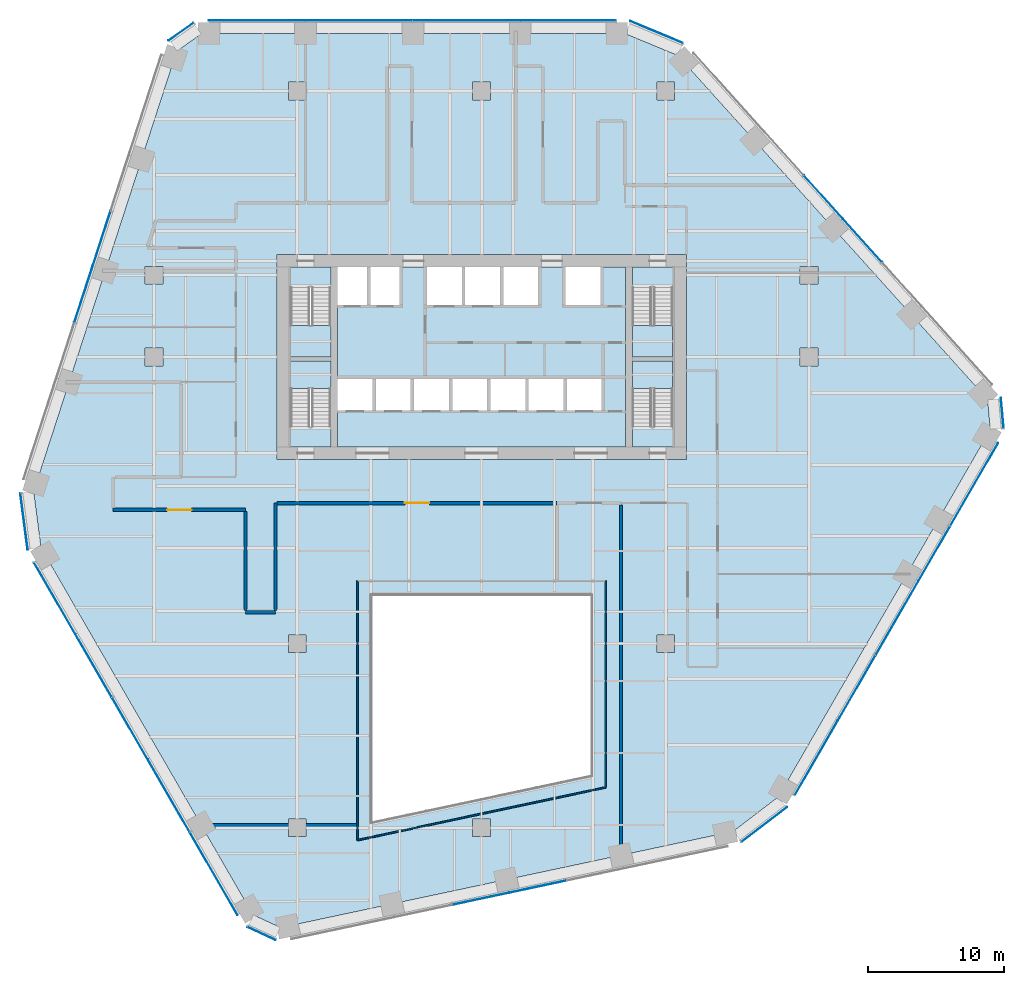
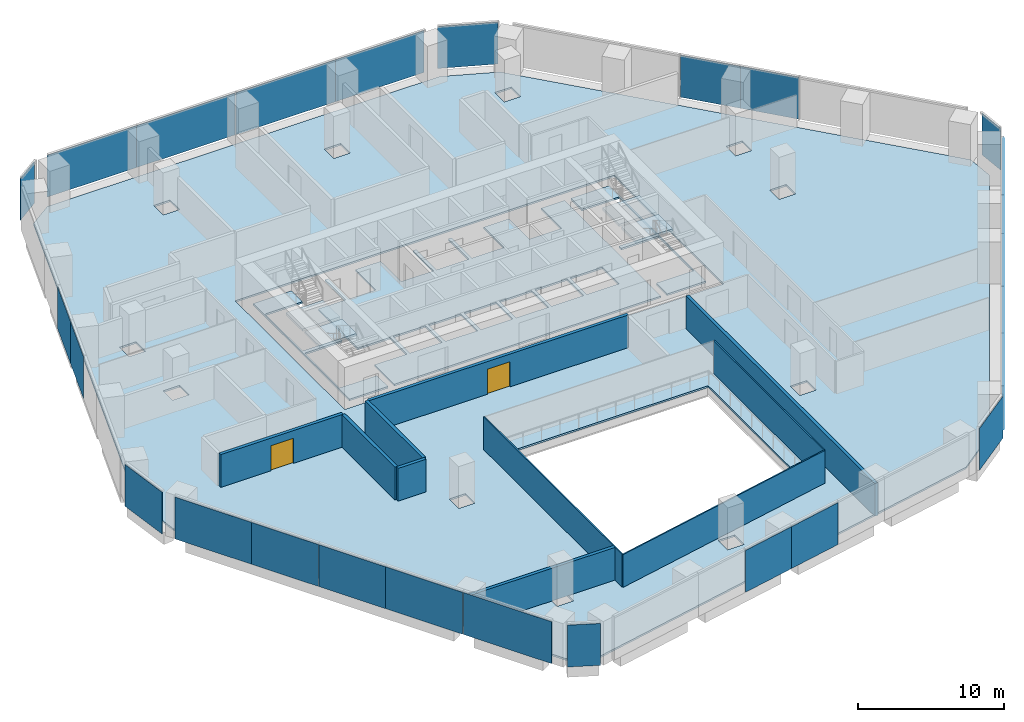
# One storey, part 13 of 21: 26 plates, 10 walls, 8 slabs, 2 doors, 2 openings, 16 elements without a shape of their own.
"""IFC4 building model written with IfcOpenShell, lengths in metres."""

from ifc_helpers import new_model, si_unit, direction, frame, frame_2d, origin, origin_2d, place, context, subcontext, project, spatial, polyline, rectangle, outline, extrude, material, layer, layer_set, type_object, element, fill, aggregate, save


model = new_model("IFC4")

# Units and contexts
model_context = context("Model", 3, precision=1e-05, world=origin(), true_north=direction((0.0, 1.0)))
body_context = subcontext(model_context, "Body", "Model", "MODEL_VIEW")
ifc_project = project(units=[si_unit("LENGTHUNIT", "METRE"), si_unit("AREAUNIT", "SQUARE_METRE"), si_unit("VOLUMEUNIT", "CUBIC_METRE"), si_unit("PLANEANGLEUNIT", "RADIAN"), si_unit("MASSUNIT", "GRAM", prefix="KILO")], contexts=[model_context])

# Site, building, storey
site_placement = place(None, origin())
site = spatial("IfcSite", under=ifc_project, at=site_placement, CompositionType="ELEMENT")
building_placement = place(site_placement, origin())
building = spatial("IfcBuilding", under=site, at=building_placement, Name="Isthmus Gate Tower", CompositionType="ELEMENT")
storey_placement = place(building_placement, frame((0.0, 0.0, 106.199951171875)))
storey = spatial("IfcBuildingStorey", under=building, at=storey_placement, Name="L25", CompositionType="ELEMENT", Elevation=106.199951171875)

# Slabs
ifc_material_1 = material(Name="Concrete f'c 40 MPa", Category="concrete")
ifc_layer_1 = layer(ifc_material_1, 0.14990234375)
ifc_layer_set_1 = layer_set([ifc_layer_1], Name="COMPOSITE FLOOR SLAB 150")
slab_type_1 = type_object("IfcSlabType", Name="COMPOSITE FLOOR SLAB 150", PredefinedType="FLOOR", material=ifc_layer_set_1)
slab_1_placement = place(storey_placement, frame((0.0, 0.0, -0.14990234375)))
element("IfcSlab", 1, at=slab_1_placement, inside=storey, type_object=slab_type_1, Name="str-slab-L25-1", PredefinedType="FLOOR", context=body_context, shape_type="SweptSolid", body=[
    extrude(outline(polyline([(14.391357421875, 29.599365234375), (37.081787109375, 4.399169921875), (37.281494140625, 2.17333984375), (21.748779296875, -24.729736328125), (18.438232421875, -27.262939453125), (-14.73095703125, -34.313232421875), (-16.758544921875, -33.373291015625), (-32.291015625, -6.47021484375), (-32.82958984375, -2.33642578125), (-22.3505859375, 29.9140625), (-20.52294921875, 31.199951171875), (10.542236328125, 31.199951171875), (14.391357421875, 29.599365234375)]), holes=[polyline([(-14.14990234375, -27.64990234375), (-12.85009765625, -27.64990234375), (-12.85009765625, -26.35009765625), (-14.14990234375, -26.35009765625), (-14.14990234375, -27.64990234375)]), polyline([(-0.64990234375, -26.35009765625), (-0.64990234375, -27.64990234375), (0.64990234375, -27.64990234375), (0.64990234375, -26.35009765625), (-0.64990234375, -26.35009765625)]), polyline([(-14.14990234375, -12.85009765625), (-14.14990234375, -14.14990234375), (-12.85009765625, -14.14990234375), (-12.85009765625, -12.85009765625), (-14.14990234375, -12.85009765625)]), polyline([(-24.64990234375, 8.14990234375), (-24.64990234375, 6.85009765625), (-23.35009765625, 6.85009765625), (-23.35009765625, 8.14990234375), (-24.64990234375, 8.14990234375)]), polyline([(-23.35009765625, 14.14990234375), (-24.64990234375, 14.14990234375), (-24.64990234375, 12.85009765625), (-23.35009765625, 12.85009765625), (-23.35009765625, 14.14990234375)]), polyline([(-14.14990234375, 27.64990234375), (-14.14990234375, 26.35009765625), (-12.85009765625, 26.35009765625), (-12.85009765625, 27.64990234375), (-14.14990234375, 27.64990234375)]), polyline([(-0.64990234375, 27.64990234375), (-0.64990234375, 26.35009765625), (0.64990234375, 26.35009765625), (0.64990234375, 27.64990234375), (-0.64990234375, 27.64990234375)]), polyline([(8.0, -23.143310546875), (8.0, -10.0), (-8.0, -10.0), (-8.0, -26.544189453125), (8.0, -23.143310546875)]), polyline([(14.14990234375, -12.85009765625), (12.85009765625, -12.85009765625), (12.85009765625, -14.14990234375), (14.14990234375, -14.14990234375), (14.14990234375, -12.85009765625)]), polyline([(15.0, 15.0), (-15.0, 15.0), (-15.0, 0.0), (15.0, 0.0), (15.0, 15.0)]), polyline([(24.64990234375, 8.14990234375), (23.35009765625, 8.14990234375), (23.35009765625, 6.85009765625), (24.64990234375, 6.85009765625), (24.64990234375, 8.14990234375)]), polyline([(23.35009765625, 14.14990234375), (23.35009765625, 12.85009765625), (24.64990234375, 12.85009765625), (24.64990234375, 14.14990234375), (23.35009765625, 14.14990234375)]), polyline([(14.14990234375, 27.64990234375), (12.85009765625, 27.64990234375), (12.85009765625, 26.35009765625), (14.14990234375, 26.35009765625), (14.14990234375, 27.64990234375)])]), origin(), (0.0, 0.0, 1.0), 0.14990234375),
])
ifc_material_2 = material(Name="Concrete f'c 40 MPa", Category="concrete")
ifc_layer_2 = layer(ifc_material_2, 0.14990234375)
ifc_layer_set_2 = layer_set([ifc_layer_2], Name="CORE FLOOR SLAB 150")
slab_type_2 = type_object("IfcSlabType", Name="CORE FLOOR SLAB 150", PredefinedType="FLOOR", material=ifc_layer_set_2)
slab_2_placement = place(storey_placement, frame((0.0, 0.0, -0.14990234375)))
element("IfcSlab", 2, at=slab_2_placement, inside=storey, type_object=slab_type_2, Name="L25 core floor", PredefinedType="FLOOR", context=body_context, shape_type="SweptSolid", body=[
    extrude(outline(polyline([(-11.050048828125, 0.89990234375), (-11.050048828125, 2.402099609375), (-14.0, 2.402099609375), (-14.0, 7.199951171875), (-11.050048828125, 7.199951171875), (-11.050048828125, 7.5), (-14.0, 7.5), (-14.0, 12.597900390625), (-11.050048828125, 12.597900390625), (-11.050048828125, 14.10009765625), (-14.10009765625, 14.10009765625), (-14.10009765625, 0.89990234375), (-11.050048828125, 0.89990234375)])), origin(), (0.0, 0.0, 1.0), 0.14990234375),
])
slab_3_placement = place(storey_placement, frame((0.0, 0.0, -0.14990234375)))
element("IfcSlab", 3, at=slab_3_placement, inside=storey, type_object=slab_type_2, Name="L25 core floor", PredefinedType="FLOOR", context=body_context, shape_type="SweptSolid", body=[
    extrude(outline(polyline([(10.550048828125, 14.10009765625), (8.699951171875, 14.10009765625), (8.699951171875, 11.300048828125), (6.14990234375, 11.300048828125), (6.14990234375, 14.10009765625), (4.14990234375, 14.10009765625), (4.14990234375, 11.300048828125), (1.60009765625, 11.300048828125), (1.60009765625, 14.10009765625), (1.35009765625, 14.10009765625), (1.35009765625, 11.300048828125), (-1.199951171875, 11.300048828125), (-1.199951171875, 14.10009765625), (-1.449951171875, 14.10009765625), (-1.449951171875, 11.300048828125), (-4.0, 11.300048828125), (-4.0, 14.10009765625), (-6.0, 14.10009765625), (-6.0, 11.300048828125), (-8.14990234375, 11.300048828125), (-8.14990234375, 14.10009765625), (-8.39990234375, 14.10009765625), (-8.39990234375, 11.300048828125), (-10.550048828125, 11.300048828125), (-10.550048828125, 5.89990234375), (-8.0, 5.89990234375), (-8.0, 3.60009765625), (-10.550048828125, 3.60009765625), (-10.550048828125, 0.89990234375), (10.550048828125, 0.89990234375), (10.550048828125, 14.10009765625)]), holes=[polyline([(-5.199951171875, 5.89990234375), (-5.199951171875, 3.60009765625), (-7.75, 3.60009765625), (-7.75, 5.89990234375), (-5.199951171875, 5.89990234375)]), polyline([(-2.39990234375, 5.89990234375), (-2.39990234375, 3.60009765625), (-4.949951171875, 3.60009765625), (-4.949951171875, 5.89990234375), (-2.39990234375, 5.89990234375)]), polyline([(0.39990234375, 5.89990234375), (0.39990234375, 3.60009765625), (-2.14990234375, 3.60009765625), (-2.14990234375, 5.89990234375), (0.39990234375, 5.89990234375)]), polyline([(3.199951171875, 5.89990234375), (3.199951171875, 3.60009765625), (0.64990234375, 3.60009765625), (0.64990234375, 5.89990234375), (3.199951171875, 5.89990234375)]), polyline([(6.0, 5.89990234375), (6.0, 3.60009765625), (3.449951171875, 3.60009765625), (3.449951171875, 5.89990234375), (6.0, 5.89990234375)]), polyline([(8.800048828125, 5.89990234375), (8.800048828125, 3.60009765625), (6.25, 3.60009765625), (6.25, 5.89990234375), (8.800048828125, 5.89990234375)])]), origin(), (0.0, 0.0, 1.0), 0.14990234375),
])
slab_4_placement = place(storey_placement, frame((0.0, 0.0, -0.14990234375)))
element("IfcSlab", 4, at=slab_4_placement, inside=storey, type_object=slab_type_2, Name="L25 core floor", PredefinedType="FLOOR", context=body_context, shape_type="SweptSolid", body=[
    extrude(outline(polyline([(11.050048828125, 14.10009765625), (11.050048828125, 12.597900390625), (14.0, 12.597900390625), (14.0, 7.5), (11.050048828125, 7.5), (11.050048828125, 7.199951171875), (14.0, 7.199951171875), (14.0, 2.402099609375), (11.050048828125, 2.402099609375), (11.050048828125, 0.89990234375), (14.10009765625, 0.89990234375), (14.10009765625, 14.10009765625), (11.050048828125, 14.10009765625)])), origin(), (0.0, 0.0, 1.0), 0.14990234375),
])

# Curtain wall, plates
ifc_material_3 = material(Name="Aluminium, pale champagne anodised", Category="aluminium")
ifc_layer_3 = layer(ifc_material_3, 0.199951171875)
ifc_layer_set_3 = layer_set([ifc_layer_3], Name="CW-1 UNITISED CURTAIN WALL 200 DEEP")
curtain_wall_type = type_object("IfcCurtainWallType", Name="CW-1 UNITISED CURTAIN WALL 200 DEEP", PredefinedType="NOTDEFINED", material=ifc_layer_set_3)
curtain_wall_1_placement = place(storey_placement, origin())
curtain_wall_1 = element("IfcCurtainWall", 5, at=curtain_wall_1_placement, inside=storey, type_object=curtain_wall_type, Name="CW-1 N L25", PredefinedType="NOTDEFINED")
ifc_material_4 = material(Name="Laminated low-iron glass, pale blue tint", Category="glass")
ifc_layer_4 = layer(ifc_material_4, 0.0400390625)
ifc_layer_set_4 = layer_set([ifc_layer_4], Name="CW-1 CLEAR GLASS LITE 40")
plate_type = type_object("IfcPlateType", Name="CW-1 CLEAR GLASS LITE 40", PredefinedType="CURTAIN_PANEL", material=ifc_layer_set_4)
plate_1_placement = place(storey_placement, frame((6.337158203125, 32.179931640625, 0.0), z_axis=(0.0, 0.0, 1.0), x_axis=(-1.0, 0.0, 0.0)))
plate_1 = element("IfcPlate", 6, at=plate_1_placement, type_object=plate_type, Name="CW-1 glass lite", PredefinedType="CURTAIN_PANEL", context=body_context, shape_type="SweptSolid", body=[
    extrude(rectangle(XDim=7.009521484375, YDim=0.0400390625, at=origin_2d()), origin(), (0.0, 0.0, 1.0), 3.5),
])
plate_2_placement = place(storey_placement, frame((-1.1025390625, 32.179931640625, 0.0), z_axis=(0.0, 0.0, 1.0), x_axis=(-1.0, 0.0, 0.0)))
plate_2 = element("IfcPlate", 7, at=plate_2_placement, type_object=plate_type, Name="CW-1 glass lite", PredefinedType="CURTAIN_PANEL", context=body_context, shape_type="SweptSolid", body=[
    extrude(rectangle(XDim=7.86962890625, YDim=0.0400390625, at=origin_2d()), origin(), (0.0, 0.0, 1.0), 3.5),
])
plate_3_placement = place(storey_placement, frame((-9.001953125, 32.179931640625, 0.0), z_axis=(0.0, 0.0, 1.0), x_axis=(-1.0, 0.0, 0.0)))
plate_3 = element("IfcPlate", 8, at=plate_3_placement, type_object=plate_type, Name="CW-1 glass lite", PredefinedType="CURTAIN_PANEL", context=body_context, shape_type="SweptSolid", body=[
    extrude(rectangle(XDim=7.8095703125, YDim=0.0400390625, at=origin_2d()), origin(), (0.0, 0.0, 1.0), 3.5),
])
plate_4_placement = place(storey_placement, frame((-16.44140625, 32.179931640625, 0.0), z_axis=(0.0, 0.0, 1.0), x_axis=(-1.0, 0.0, 0.0)))
plate_4 = element("IfcPlate", 9, at=plate_4_placement, type_object=plate_type, Name="CW-1 glass lite", PredefinedType="CURTAIN_PANEL", context=body_context, shape_type="SweptSolid", body=[
    extrude(rectangle(XDim=7.069580078125, YDim=0.0400390625, at=origin_2d()), origin(), (0.0, 0.0, 1.0), 3.5),
])
aggregate(curtain_wall_1, [plate_1, plate_2, plate_3, plate_4])

# Curtain wall, plate
curtain_wall_2_placement = place(storey_placement, origin())
curtain_wall_2 = element("IfcCurtainWall", 10, at=curtain_wall_2_placement, inside=storey, type_object=curtain_wall_type, Name="CW-1 N-NW L25", PredefinedType="NOTDEFINED")
plate_5_placement = place(storey_placement, frame((-22.025146484375, 31.341552734375, 0.0), z_axis=(0.0, 0.0, 1.0), x_axis=(-0.81785959165, -0.57541783805, 0.0)))
plate_5 = element("IfcPlate", 11, at=plate_5_placement, type_object=plate_type, Name="CW-1 glass lite", PredefinedType="CURTAIN_PANEL", context=body_context, shape_type="SweptSolid", body=[
    extrude(rectangle(XDim=2.258544921875, YDim=0.0400390625, at=origin_2d()), origin(), (0.0, 0.0, 1.0), 3.5),
])
aggregate(curtain_wall_2, [plate_5])

# Curtain wall, plates
curtain_wall_3_placement = place(storey_placement, origin())
curtain_wall_3 = element("IfcCurtainWall", 12, at=curtain_wall_3_placement, inside=storey, type_object=curtain_wall_type, Name="CW-1 NW L25", PredefinedType="NOTDEFINED")
plate_6_placement = place(storey_placement, frame((-27.8544921875, 16.146484375, 0.0), z_axis=(0.0, 0.0, 1.0), x_axis=(-0.309016994375, -0.951056516295, 0.0)))
plate_6 = element("IfcPlate", 13, at=plate_6_placement, type_object=plate_type, Name="CW-1 glass lite", PredefinedType="CURTAIN_PANEL", context=body_context, shape_type="SweptSolid", body=[
    extrude(rectangle(XDim=4.234619140625, YDim=0.0400390625, at=origin_2d()), origin(), (0.0, 0.0, 1.0), 3.5),
])
plate_7_placement = place(storey_placement, frame((-29.17236328125, 12.09033203125, 0.0), z_axis=(0.0, 0.0, 1.0), x_axis=(-0.309016994375, -0.951056516295, 0.0)))
plate_7 = element("IfcPlate", 14, at=plate_7_placement, type_object=plate_type, Name="CW-1 glass lite", PredefinedType="CURTAIN_PANEL", context=body_context, shape_type="SweptSolid", body=[
    extrude(rectangle(XDim=4.294677734375, YDim=0.0400390625, at=origin_2d()), origin(), (0.0, 0.0, 1.0), 3.5),
])
aggregate(curtain_wall_3, [plate_6, plate_7])

# Curtain wall, plate
curtain_wall_4_placement = place(storey_placement, origin())
curtain_wall_4 = element("IfcCurtainWall", 15, at=curtain_wall_4_placement, inside=storey, type_object=curtain_wall_type, Name="CW-1 NW-SW L25", PredefinedType="NOTDEFINED")
plate_8_placement = place(storey_placement, frame((-33.5283203125, -4.558349609375, 0.0), z_axis=(0.0, 0.0, 1.0), x_axis=(0.129164534, -0.991623175988, 0.0)))
plate_8 = element("IfcPlate", 16, at=plate_8_placement, type_object=plate_type, Name="CW-1 glass lite", PredefinedType="CURTAIN_PANEL", context=body_context, shape_type="SweptSolid", body=[
    extrude(rectangle(XDim=4.181396484375, YDim=0.0400390625, at=origin_2d()), origin(), (0.0, 0.0, 1.0), 3.5),
])
aggregate(curtain_wall_4, [plate_8])

# Curtain wall, plates
curtain_wall_5_placement = place(storey_placement, origin())
curtain_wall_5 = element("IfcCurtainWall", 17, at=curtain_wall_5_placement, inside=storey, type_object=curtain_wall_type, Name="CW-1 SW L25", PredefinedType="NOTDEFINED")
plate_9_placement = place(storey_placement, frame((-31.277587890625, -10.185791015625, 0.0), z_axis=(0.0, 0.0, 1.0), x_axis=(0.5, -0.866025403784, 0.0)))
plate_9 = element("IfcPlate", 18, at=plate_9_placement, type_object=plate_type, Name="CW-1 glass lite", PredefinedType="CURTAIN_PANEL", context=body_context, shape_type="SweptSolid", body=[
    extrude(rectangle(XDim=6.048583984375, YDim=0.0400390625, at=origin_2d()), origin(), (0.0, 0.0, 1.0), 3.5),
])
plate_10_placement = place(storey_placement, frame((-28.438232421875, -15.103759765625, 0.0), z_axis=(0.0, 0.0, 1.0), x_axis=(0.5, -0.866025403784, 0.0)))
plate_10 = element("IfcPlate", 19, at=plate_10_placement, type_object=plate_type, Name="CW-1 glass lite", PredefinedType="CURTAIN_PANEL", context=body_context, shape_type="SweptSolid", body=[
    extrude(rectangle(XDim=5.30859375, YDim=0.0400390625, at=origin_2d()), origin(), (0.0, 0.0, 1.0), 3.5),
])
plate_11_placement = place(storey_placement, frame((-25.768798828125, -19.72705078125, 0.0), z_axis=(0.0, 0.0, 1.0), x_axis=(0.5, -0.866025403784, 0.0)))
plate_11 = element("IfcPlate", 20, at=plate_11_placement, type_object=plate_type, Name="CW-1 glass lite", PredefinedType="CURTAIN_PANEL", context=body_context, shape_type="SweptSolid", body=[
    extrude(rectangle(XDim=5.24853515625, YDim=0.0400390625, at=origin_2d()), origin(), (0.0, 0.0, 1.0), 3.5),
])
plate_12_placement = place(storey_placement, frame((-22.929443359375, -24.644775390625, 0.0), z_axis=(0.0, 0.0, 1.0), x_axis=(0.5, -0.866025403784, 0.0)))
plate_12 = element("IfcPlate", 21, at=plate_12_placement, type_object=plate_type, Name="CW-1 glass lite", PredefinedType="CURTAIN_PANEL", context=body_context, shape_type="SweptSolid", body=[
    extrude(rectangle(XDim=6.108642578125, YDim=0.0400390625, at=origin_2d()), origin(), (0.0, 0.0, 1.0), 3.5),
])
plate_13_placement = place(storey_placement, frame((-19.62646484375, -30.365966796875, 0.0), z_axis=(0.0, 0.0, 1.0), x_axis=(0.5, -0.866025403784, 0.0)))
plate_13 = element("IfcPlate", 22, at=plate_13_placement, type_object=plate_type, Name="CW-1 glass lite", PredefinedType="CURTAIN_PANEL", context=body_context, shape_type="SweptSolid", body=[
    extrude(rectangle(XDim=6.983642578125, YDim=0.0400390625, at=origin_2d()), origin(), (0.0, 0.0, 1.0), 3.5),
])
aggregate(curtain_wall_5, [plate_9, plate_10, plate_11, plate_12, plate_13])

# Curtain wall, plate
curtain_wall_6_placement = place(storey_placement, origin())
curtain_wall_6 = element("IfcCurtainWall", 23, at=curtain_wall_6_placement, inside=storey, type_object=curtain_wall_type, Name="CW-1 SW-S L25", PredefinedType="NOTDEFINED")
plate_14_placement = place(storey_placement, frame((-16.1298828125, -34.7451171875, 0.0), z_axis=(0.0, 0.0, 1.0), x_axis=(0.907256261367, -0.420578264073, 0.0)))
plate_14 = element("IfcPlate", 24, at=plate_14_placement, type_object=plate_type, Name="CW-1 glass lite", PredefinedType="CURTAIN_PANEL", context=body_context, shape_type="SweptSolid", body=[
    extrude(rectangle(XDim=2.258544921875, YDim=0.0400390625, at=origin_2d()), origin(), (0.0, 0.0, 1.0), 3.5),
])
aggregate(curtain_wall_6, [plate_14])

# Curtain wall, plates
curtain_wall_7_placement = place(storey_placement, origin())
curtain_wall_7 = element("IfcCurtainWall", 25, at=curtain_wall_7_placement, inside=storey, type_object=curtain_wall_type, Name="CW-1 S L25", PredefinedType="NOTDEFINED")
plate_15_placement = place(storey_placement, frame((-0.055908203125, -32.19580078125, 0.0), z_axis=(0.0, 0.0, 1.0), x_axis=(0.978147600734, 0.207911690818, 0.0)))
plate_15 = element("IfcPlate", 26, at=plate_15_placement, type_object=plate_type, Name="CW-1 glass lite", PredefinedType="CURTAIN_PANEL", context=body_context, shape_type="SweptSolid", body=[
    extrude(rectangle(XDim=4.234619140625, YDim=0.0400390625, at=origin_2d()), origin(), (0.0, 0.0, 1.0), 3.5),
])
plate_16_placement = place(storey_placement, frame((4.115478515625, -31.309326171875, 0.0), z_axis=(0.0, 0.0, 1.0), x_axis=(0.978147600734, 0.207911690818, 0.0)))
plate_16 = element("IfcPlate", 27, at=plate_16_placement, type_object=plate_type, Name="CW-1 glass lite", PredefinedType="CURTAIN_PANEL", context=body_context, shape_type="SweptSolid", body=[
    extrude(rectangle(XDim=4.294677734375, YDim=0.0400390625, at=origin_2d()), origin(), (0.0, 0.0, 1.0), 3.5),
])
aggregate(curtain_wall_7, [plate_15, plate_16])

# Curtain wall, plate
curtain_wall_8_placement = place(storey_placement, origin())
curtain_wall_8 = element("IfcCurtainWall", 28, at=curtain_wall_8_placement, inside=storey, type_object=curtain_wall_type, Name="CW-1 S-SE L25", PredefinedType="NOTDEFINED")
plate_17_placement = place(storey_placement, frame((20.711669921875, -26.75732421875, 0.0), z_axis=(0.0, 0.0, 1.0), x_axis=(0.794188594387, 0.607671355706, 0.0)))
plate_17 = element("IfcPlate", 29, at=plate_17_placement, type_object=plate_type, Name="CW-1 glass lite", PredefinedType="CURTAIN_PANEL", context=body_context, shape_type="SweptSolid", body=[
    extrude(rectangle(XDim=4.181396484375, YDim=0.0400390625, at=origin_2d()), origin(), (0.0, 0.0, 1.0), 3.5),
])
aggregate(curtain_wall_8, [plate_17])

# Curtain wall, plates
curtain_wall_9_placement = place(storey_placement, origin())
curtain_wall_9 = element("IfcCurtainWall", 30, at=curtain_wall_9_placement, inside=storey, type_object=curtain_wall_type, Name="CW-1 SE L25", PredefinedType="NOTDEFINED")
plate_18_placement = place(storey_placement, frame((24.517333984375, -21.89453125, 0.0), z_axis=(0.0, 0.0, 1.0), x_axis=(0.5, 0.866025403784, 0.0)))
plate_18 = element("IfcPlate", 31, at=plate_18_placement, type_object=plate_type, Name="CW-1 glass lite", PredefinedType="CURTAIN_PANEL", context=body_context, shape_type="SweptSolid", body=[
    extrude(rectangle(XDim=6.278564453125, YDim=0.0400390625, at=origin_2d()), origin(), (0.0, 0.0, 1.0), 3.5),
])
plate_19_placement = place(storey_placement, frame((27.4716796875, -16.777587890625, 0.0), z_axis=(0.0, 0.0, 1.0), x_axis=(0.5, 0.866025403784, 0.0)))
plate_19 = element("IfcPlate", 32, at=plate_19_placement, type_object=plate_type, Name="CW-1 glass lite", PredefinedType="CURTAIN_PANEL", context=body_context, shape_type="SweptSolid", body=[
    extrude(rectangle(XDim=5.53857421875, YDim=0.0400390625, at=origin_2d()), origin(), (0.0, 0.0, 1.0), 3.5),
])
plate_20_placement = place(storey_placement, frame((30.4560546875, -11.608642578125, 0.0), z_axis=(0.0, 0.0, 1.0), x_axis=(0.5, 0.866025403784, 0.0)))
plate_20 = element("IfcPlate", 33, at=plate_20_placement, type_object=plate_type, Name="CW-1 glass lite", PredefinedType="CURTAIN_PANEL", context=body_context, shape_type="SweptSolid", body=[
    extrude(rectangle(XDim=6.278564453125, YDim=0.0400390625, at=origin_2d()), origin(), (0.0, 0.0, 1.0), 3.5),
])
plate_21_placement = place(storey_placement, frame((33.173828125, -6.901123046875, 0.0), z_axis=(0.0, 0.0, 1.0), x_axis=(0.5, 0.866025403784, 0.0)))
plate_21 = element("IfcPlate", 34, at=plate_21_placement, type_object=plate_type, Name="CW-1 glass lite", PredefinedType="CURTAIN_PANEL", context=body_context, shape_type="SweptSolid", body=[
    extrude(rectangle(XDim=4.5927734375, YDim=0.0400390625, at=origin_2d()), origin(), (0.0, 0.0, 1.0), 3.5),
])
plate_22_placement = place(storey_placement, frame((36.1044921875, -1.8251953125, 0.0), z_axis=(0.0, 0.0, 1.0), x_axis=(0.5, 0.866025403784, 0.0)))
plate_22 = element("IfcPlate", 35, at=plate_22_placement, type_object=plate_type, Name="CW-1 glass lite", PredefinedType="CURTAIN_PANEL", context=body_context, shape_type="SweptSolid", body=[
    extrude(rectangle(XDim=7.009521484375, YDim=0.0400390625, at=origin_2d()), origin(), (0.0, 0.0, 1.0), 3.5),
])
aggregate(curtain_wall_9, [plate_18, plate_19, plate_20, plate_21, plate_22])

# Curtain wall, plate
curtain_wall_10_placement = place(storey_placement, origin())
curtain_wall_10 = element("IfcCurtainWall", 36, at=curtain_wall_10_placement, inside=storey, type_object=curtain_wall_type, Name="CW-1 SE-NE L25", PredefinedType="NOTDEFINED")
plate_23_placement = place(storey_placement, frame((38.155029296875, 3.403564453125, 0.0), z_axis=(0.0, 0.0, 1.0), x_axis=(-0.089396669717, 0.995996102123, 0.0)))
plate_23 = element("IfcPlate", 37, at=plate_23_placement, type_object=plate_type, Name="CW-1 glass lite", PredefinedType="CURTAIN_PANEL", context=body_context, shape_type="SweptSolid", body=[
    extrude(rectangle(XDim=2.258544921875, YDim=0.0400390625, at=origin_2d()), origin(), (0.0, 0.0, 1.0), 3.5),
])
aggregate(curtain_wall_10, [plate_23])

# Curtain wall, plates
curtain_wall_11_placement = place(storey_placement, origin())
curtain_wall_11 = element("IfcCurtainWall", 38, at=curtain_wall_11_placement, inside=storey, type_object=curtain_wall_type, Name="CW-1 NE L25", PredefinedType="NOTDEFINED")
plate_24_placement = place(storey_placement, frame((27.910400390625, 16.049560546875, 0.0), z_axis=(0.0, 0.0, 1.0), x_axis=(-0.669130606359, 0.743144825477, 0.0)))
plate_24 = element("IfcPlate", 39, at=plate_24_placement, type_object=plate_type, Name="CW-1 glass lite", PredefinedType="CURTAIN_PANEL", context=body_context, shape_type="SweptSolid", body=[
    extrude(rectangle(XDim=4.234619140625, YDim=0.0400390625, at=origin_2d()), origin(), (0.0, 0.0, 1.0), 3.5),
])
plate_25_placement = place(storey_placement, frame((25.056884765625, 19.21875, 0.0), z_axis=(0.0, 0.0, 1.0), x_axis=(-0.669130606359, 0.743144825477, 0.0)))
plate_25 = element("IfcPlate", 40, at=plate_25_placement, type_object=plate_type, Name="CW-1 glass lite", PredefinedType="CURTAIN_PANEL", context=body_context, shape_type="SweptSolid", body=[
    extrude(rectangle(XDim=4.294677734375, YDim=0.0400390625, at=origin_2d()), origin(), (0.0, 0.0, 1.0), 3.5),
])
aggregate(curtain_wall_11, [plate_24, plate_25])

# Curtain wall, plate
curtain_wall_12_placement = place(storey_placement, origin())
curtain_wall_12 = element("IfcCurtainWall", 41, at=curtain_wall_12_placement, inside=storey, type_object=curtain_wall_type, Name="CW-1 NE-N L25", PredefinedType="NOTDEFINED")
plate_26_placement = place(storey_placement, frame((12.816650390625, 31.315673828125, 0.0), z_axis=(0.0, 0.0, 1.0), x_axis=(-0.923353128387, 0.383951820282, 0.0)))
plate_26 = element("IfcPlate", 42, at=plate_26_placement, type_object=plate_type, Name="CW-1 glass lite", PredefinedType="CURTAIN_PANEL", context=body_context, shape_type="SweptSolid", body=[
    extrude(rectangle(XDim=4.181396484375, YDim=0.0400390625, at=origin_2d()), origin(), (0.0, 0.0, 1.0), 3.5),
])
aggregate(curtain_wall_12, [plate_26])

# Stair, slab
ifc_material_5 = material(Name="Concrete f'c 40 MPa", Category="concrete")
stair_type = type_object("IfcStairType", Name="CORE STAIR 22 RISERS", PredefinedType="HALF_TURN_STAIR", material=ifc_material_5)
stair_1_placement = place(storey_placement, origin())
stair_1 = element("IfcStair", 43, at=stair_1_placement, inside=storey, type_object=stair_type, Name="L25 Exit Stair 1", PredefinedType="HALF_TURN_STAIR")
ifc_material_6 = material(Name="Concrete f'c 40 MPa", Category="concrete")
ifc_layer_5 = layer(ifc_material_6, 0.199951171875)
ifc_layer_set_5 = layer_set([ifc_layer_5])
slab_type_3 = type_object("IfcSlabType", Name="STAIR LANDING RC 200", PredefinedType="LANDING", material=ifc_layer_set_5)
slab_5_placement = place(storey_placement, frame((0.0, 0.0, 1.625)))
slab_5 = element("IfcSlab", 44, at=slab_5_placement, type_object=slab_type_3, Name="ST1 landing 1", PredefinedType="LANDING", context=body_context, shape_type="SweptSolid", body=[
    extrude(outline(polyline([(-14.0, 9.800048828125), (-14.0, 7.5), (-11.050048828125, 7.5), (-11.050048828125, 9.800048828125), (-14.0, 9.800048828125)])), origin(), (0.0, 0.0, 1.0), 0.199951171875),
])
aggregate(stair_1, [slab_5])

stair_2_placement = place(storey_placement, origin())
stair_2 = element("IfcStair", 45, at=stair_2_placement, inside=storey, type_object=stair_type, Name="L25 Exit Stair 2", PredefinedType="HALF_TURN_STAIR")
slab_6_placement = place(storey_placement, frame((0.0, 0.0, 1.625)))
slab_6 = element("IfcSlab", 46, at=slab_6_placement, type_object=slab_type_3, Name="ST2 landing 1", PredefinedType="LANDING", context=body_context, shape_type="SweptSolid", body=[
    extrude(outline(polyline([(11.050048828125, 9.800048828125), (11.050048828125, 7.5), (14.0, 7.5), (14.0, 9.800048828125), (11.050048828125, 9.800048828125)])), origin(), (0.0, 0.0, 1.0), 0.199951171875),
])
aggregate(stair_2, [slab_6])

stair_3_placement = place(storey_placement, origin())
stair_3 = element("IfcStair", 47, at=stair_3_placement, inside=storey, type_object=stair_type, Name="L25 Exit Stair 7", PredefinedType="HALF_TURN_STAIR")
slab_7_placement = place(storey_placement, frame((0.0, 0.0, 1.625)))
slab_7 = element("IfcSlab", 48, at=slab_7_placement, type_object=slab_type_3, Name="ST7 landing 1", PredefinedType="LANDING", context=body_context, shape_type="SweptSolid", body=[
    extrude(outline(polyline([(-11.050048828125, 5.199951171875), (-11.050048828125, 7.199951171875), (-14.0, 7.199951171875), (-14.0, 5.199951171875), (-11.050048828125, 5.199951171875)])), origin(), (0.0, 0.0, 1.0), 0.199951171875),
])
aggregate(stair_3, [slab_7])

stair_4_placement = place(storey_placement, origin())
stair_4 = element("IfcStair", 49, at=stair_4_placement, inside=storey, type_object=stair_type, Name="L25 Exit Stair 8", PredefinedType="HALF_TURN_STAIR")
slab_8_placement = place(storey_placement, frame((0.0, 0.0, 1.625)))
slab_8 = element("IfcSlab", 50, at=slab_8_placement, type_object=slab_type_3, Name="ST8 landing 1", PredefinedType="LANDING", context=body_context, shape_type="SweptSolid", body=[
    extrude(outline(polyline([(14.0, 5.199951171875), (14.0, 7.199951171875), (11.050048828125, 7.199951171875), (11.050048828125, 5.199951171875), (14.0, 5.199951171875)])), origin(), (0.0, 0.0, 1.0), 0.199951171875),
])
aggregate(stair_4, [slab_8])

# Wall, opening, door
ifc_material_7 = material(Name="Double-leaf acoustic stud wall, fire-rated", Category="gypsum")
ifc_layer_6 = layer(ifc_material_7, 0.25)
ifc_layer_set_6 = layer_set([ifc_layer_6], Name="ACOUSTIC WALL 250 60 MIN")
wall_type_1 = type_object("IfcWallType", Name="ACOUSTIC WALL 250 60 MIN", PredefinedType="PARTITIONING", material=ifc_layer_set_6)
wall_1_placement = place(storey_placement, frame((5.5390625, -3.199951171875, 0.0), z_axis=(0.0, 0.0, 1.0), x_axis=(-1.0, 0.0, 0.0)))
wall_1 = element("IfcWall", 51, at=wall_1_placement, inside=storey, type_object=wall_type_1, Name="L25 Acoustic Wall 250 60 Min", PredefinedType="PARTITIONING", context=body_context, shape_type="SweptSolid", body=[
    extrude(rectangle(XDim=20.51416015625, YDim=0.25, at=frame_2d((10.257080078125, 0.0))), origin(), (0.0, 0.0, 1.0), 2.7412109375),
])
opening_1_placement = place(wall_1_placement, frame((9.369384765625, 0.0, 0.0)))
opening_1 = element("IfcOpeningElement", 52, at=opening_1_placement, cuts=wall_1, Name="Opening DT-T2C-10", PredefinedType="OPENING", context=body_context, shape_type="SweptSolid", body=[
    extrude(rectangle(XDim=1.800048828125, YDim=2.10009765625, at=frame_2d((0.89990234375, 1.050048828125))), frame((0.0, 0.135009765625, 0.0), z_axis=(0.0, -1.0, 0.0), x_axis=(1.0, 0.0, 0.0)), (0.0, 0.0, 1.0), 0.27001953125),
])
ifc_material_8 = material(Name="Solid core timber door leaf, fire-rated", Category="wood")
door_type = type_object("IfcDoorType", Name="FIRE DOOR ACOUSTIC ROOM 1800 X 2100 60 MIN", OperationType="DOUBLE_DOOR_DOUBLE_SWING", PredefinedType="DOOR", material=ifc_material_8)
door_1_placement = place(opening_1_placement, origin())
door_1 = element("IfcDoor", 53, at=door_1_placement, inside=storey, type_object=door_type, Name="L25 room door", OperationType="DOUBLE_DOOR_DOUBLE_SWING", OverallHeight=2.10009765625, OverallWidth=1.800048828125, PredefinedType="DOOR", context=body_context, shape_type="SweptSolid", body=[
    extrude(rectangle(XDim=1.800048828125, YDim=2.10009765625, at=frame_2d((0.89990234375, 1.050048828125))), frame((0.0, 0.02490234375, 0.0), z_axis=(0.0, -1.0, 0.0), x_axis=(1.0, 0.0, 0.0)), (0.0, 0.0, 1.0), 0.050048828125),
])
fill(opening_1, door_1)

wall_2_placement = place(storey_placement, frame((-17.300048828125, -3.699951171875, 0.0), z_axis=(0.0, 0.0, 1.0), x_axis=(-1.0, 0.0, 0.0)))
wall_2 = element("IfcWall", 54, at=wall_2_placement, inside=storey, type_object=wall_type_1, Name="L25 Acoustic Wall 250 60 Min", PredefinedType="PARTITIONING", context=body_context, shape_type="SweptSolid", body=[
    extrude(rectangle(XDim=9.699951171875, YDim=0.25, at=frame_2d((4.85009765625, 0.0))), origin(), (0.0, 0.0, 1.0), 2.7412109375),
])
opening_2_placement = place(wall_2_placement, frame((3.949951171875, 0.0, 0.0)))
opening_2 = element("IfcOpeningElement", 55, at=opening_2_placement, cuts=wall_2, Name="Opening DT-T2C-11", PredefinedType="OPENING", context=body_context, shape_type="SweptSolid", body=[
    extrude(rectangle(XDim=1.800048828125, YDim=2.10009765625, at=frame_2d((0.89990234375, 1.050048828125))), frame((0.0, 0.135009765625, 0.0), z_axis=(0.0, -1.0, 0.0), x_axis=(1.0, 0.0, 0.0)), (0.0, 0.0, 1.0), 0.27001953125),
])
door_2_placement = place(opening_2_placement, origin())
door_2 = element("IfcDoor", 56, at=door_2_placement, inside=storey, type_object=door_type, Name="L25 room door", OperationType="DOUBLE_DOOR_DOUBLE_SWING", OverallHeight=2.10009765625, OverallWidth=1.800048828125, PredefinedType="DOOR", context=body_context, shape_type="SweptSolid", body=[
    extrude(rectangle(XDim=1.800048828125, YDim=2.10009765625, at=frame_2d((0.89990234375, 1.050048828125))), frame((0.0, 0.02490234375, 0.0), z_axis=(0.0, -1.0, 0.0), x_axis=(1.0, 0.0, 0.0)), (0.0, 0.0, 1.0), 0.050048828125),
])
fill(opening_2, door_2)

# Walls
wall_3_placement = place(storey_placement, frame((-15.10009765625, -11.199951171875, 0.0), z_axis=(0.0, 0.0, 1.0), x_axis=(-1.0, 0.0, 0.0)))
element("IfcWall", 57, at=wall_3_placement, inside=storey, type_object=wall_type_1, Name="L25 Acoustic Wall 250 60 Min", PredefinedType="PARTITIONING", context=body_context, shape_type="SweptSolid", body=[
    extrude(rectangle(XDim=2.199951171875, YDim=0.25, at=frame_2d((1.10009765625, 0.0))), origin(), (0.0, 0.0, 1.0), 2.7412109375),
])
wall_4_placement = place(storey_placement, frame((-15.10009765625, -3.199951171875, 0.0), z_axis=(0.0, 0.0, 1.0), x_axis=(0.0, -1.0, 0.0)))
element("IfcWall", 58, at=wall_4_placement, inside=storey, type_object=wall_type_1, Name="L25 Acoustic Wall 250 60 Min", PredefinedType="PARTITIONING", context=body_context, shape_type="SweptSolid", body=[
    extrude(rectangle(XDim=7.875, YDim=0.25, at=frame_2d((3.9375, 0.0))), origin(), (0.0, 0.0, 1.0), 2.7412109375),
])
wall_5_placement = place(storey_placement, frame((-17.300048828125, -11.074951171875, 0.0), z_axis=(0.0, 0.0, 1.0), x_axis=(0.0, 1.0, 0.0)))
element("IfcWall", 59, at=wall_5_placement, inside=storey, type_object=wall_type_1, Name="L25 Acoustic Wall 250 60 Min", PredefinedType="PARTITIONING", context=body_context, shape_type="SweptSolid", body=[
    extrude(rectangle(XDim=7.25, YDim=0.25, at=frame_2d((3.625, 0.0))), origin(), (0.0, 0.0, 1.0), 2.7412109375),
])
wall_6_placement = place(storey_placement, frame((-20.784912109375, -26.800048828125, 0.0), z_axis=(0.0, 0.0, 1.0), x_axis=(1.0, 0.0, 0.0)))
element("IfcWall", 60, at=wall_6_placement, inside=storey, type_object=wall_type_1, Name="L25 Acoustic Wall 250 60 Min", PredefinedType="PARTITIONING", context=body_context, shape_type="SweptSolid", body=[
    extrude(rectangle(XDim=11.635009765625, YDim=0.25, at=frame_2d((5.8173828125, 0.0))), origin(), (0.0, 0.0, 1.0), 2.7412109375),
])
wall_7_placement = place(storey_placement, frame((10.212890625, -29.216064453125, 0.0), z_axis=(0.0, 0.0, 1.0), x_axis=(0.0, 1.0, 0.0)))
element("IfcWall", 61, at=wall_7_placement, inside=storey, type_object=wall_type_1, Name="L25 Acoustic Wall 250 60 Min", PredefinedType="PARTITIONING", context=body_context, shape_type="SweptSolid", body=[
    extrude(rectangle(XDim=25.89111328125, YDim=0.25, at=frame_2d((12.945556640625, 0.0))), origin(), (0.0, 0.0, 1.0), 2.7412109375),
])
ifc_material_9 = material(Name="Fire-rated laminated glass in steel frame", Category="steel")
ifc_layer_7 = layer(ifc_material_9, 0.10009765625)
ifc_layer_set_7 = layer_set([ifc_layer_7], Name="ATRIUM SCREEN GLAZED WALL 100 120 MIN")
wall_type_2 = type_object("IfcWallType", Name="ATRIUM SCREEN GLAZED WALL 100 120 MIN", PredefinedType="PARTITIONING", material=ifc_layer_set_7)
wall_8_placement = place(storey_placement, frame((9.10009765625, -8.89990234375, 0.0), z_axis=(0.0, 0.0, 1.0), x_axis=(0.0, -1.0, 0.0)))
element("IfcWall", 62, at=wall_8_placement, inside=storey, type_object=wall_type_2, Name="L25 atrium screen", PredefinedType="PARTITIONING", context=body_context, shape_type="SweptSolid", body=[
    extrude(rectangle(XDim=15.134033203125, YDim=0.10009765625, at=frame_2d((7.56689453125, 0.0))), origin(), (0.0, 0.0, 1.0), 2.7412109375),
])
wall_9_placement = place(storey_placement, frame((9.10009765625, -24.033935546875, 0.0), z_axis=(0.0, 0.0, 1.0), x_axis=(-0.978146710971, -0.207915876778, 0.0)))
element("IfcWall", 63, at=wall_9_placement, inside=storey, type_object=wall_type_2, Name="L25 atrium screen", PredefinedType="PARTITIONING", context=body_context, shape_type="SweptSolid", body=[
    extrude(rectangle(XDim=18.60693359375, YDim=0.10009765625, at=frame_2d((9.303466796875, 0.0))), origin(), (0.0, 0.0, 1.0), 2.7412109375),
])
wall_10_placement = place(storey_placement, frame((-9.10009765625, -27.902587890625, 0.0), z_axis=(0.0, 0.0, 1.0), x_axis=(0.0, 1.0, 0.0)))
element("IfcWall", 64, at=wall_10_placement, inside=storey, type_object=wall_type_2, Name="L25 atrium screen", PredefinedType="PARTITIONING", context=body_context, shape_type="SweptSolid", body=[
    extrude(rectangle(XDim=19.002685546875, YDim=0.10009765625, at=frame_2d((9.50146484375, 0.0))), origin(), (0.0, 0.0, 1.0), 2.7412109375),
])

save(model, "model.ifc")
